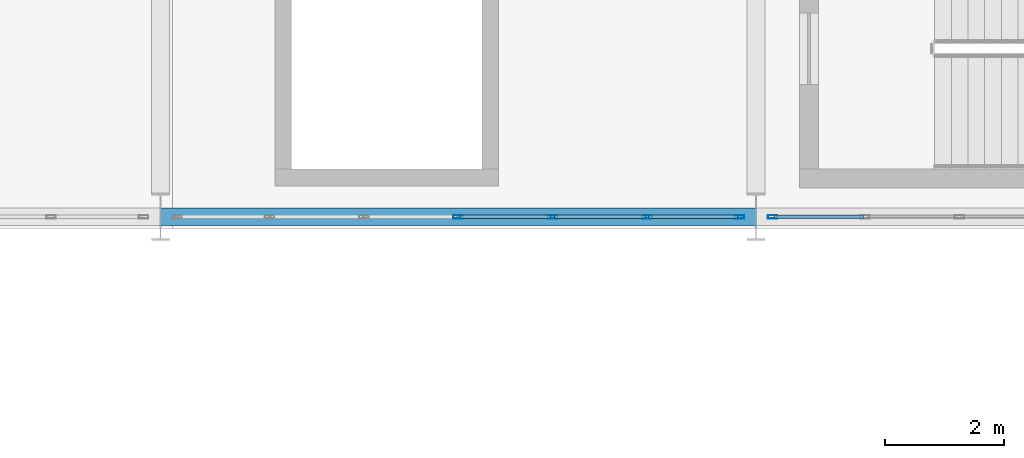
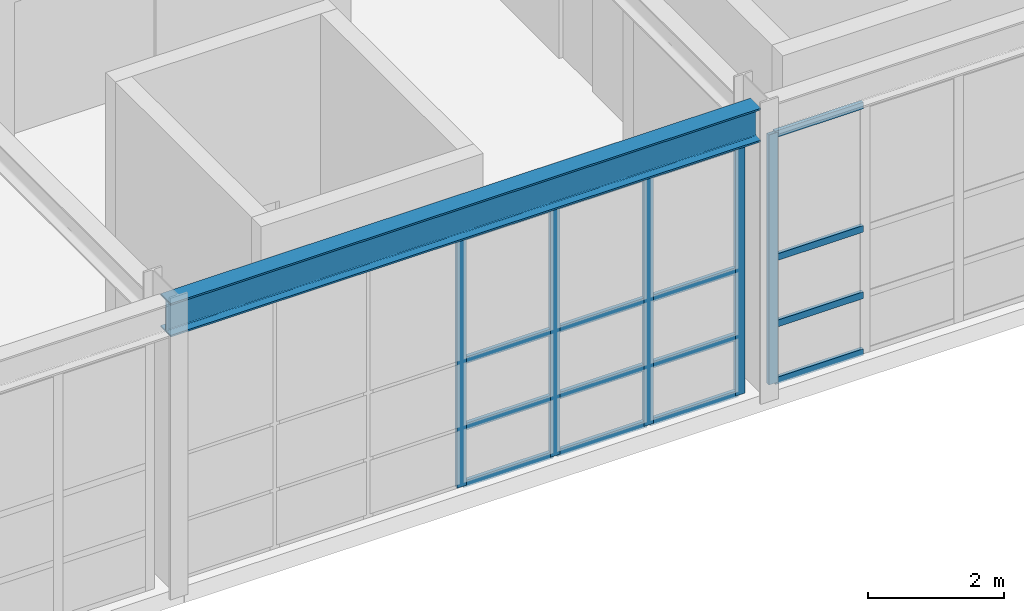
# One storey, part 113 of 210: 21 members, 1 beam, 2 elements without a shape of their own.
"""IFC4 building model written with IfcOpenShell, lengths in metres."""

from ifc_helpers import new_model, si_unit, direction, frame, origin, origin_2d, place, context, subcontext, project, spatial, hollow_rectangle, i_section, extrude, material, material_profile, profile_set, type_object, element, aggregate, save


model = new_model("IFC4")

# Units and contexts
model_context = context("Model", 3, precision=1e-05, world=origin(), true_north=direction((0.0, 1.0)))
body_context = subcontext(model_context, "Body", "Model", "MODEL_VIEW")
ifc_project = project(units=[si_unit("LENGTHUNIT", "METRE"), si_unit("AREAUNIT", "SQUARE_METRE"), si_unit("VOLUMEUNIT", "CUBIC_METRE"), si_unit("PLANEANGLEUNIT", "RADIAN"), si_unit("MASSUNIT", "GRAM", prefix="KILO")], contexts=[model_context])

# Site, building, storey
site_placement = place(None, origin())
site = spatial("IfcSite", under=ifc_project, at=site_placement, CompositionType="ELEMENT")
building_placement = place(site_placement, origin())
building = spatial("IfcBuilding", under=site, at=building_placement, Name="Kaldris Quays Convention Centre", CompositionType="ELEMENT")
storey_placement = place(building_placement, frame((0.0, 0.0, 6.0)))
storey = spatial("IfcBuildingStorey", under=building, at=storey_placement, Name="L01", CompositionType="ELEMENT", Elevation=6.0)

# Curtain wall, members
ifc_material_1 = material(Name="Anodized aluminium AW-6060 and triple glazing", Category="aluminium")
curtain_wall_type = type_object("IfcCurtainWallType", Name="UNITISED CURTAIN WALL CW01", PredefinedType="NOTDEFINED", material=ifc_material_1)
curtain_wall_1_placement = place(storey_placement, origin())
curtain_wall_1 = element("IfcCurtainWall", 1, at=curtain_wall_1_placement, inside=storey, type_object=curtain_wall_type, Name="L01 Unitised Curtain Wall CW01 24", PredefinedType="NOTDEFINED")
ifc_material_2 = material(Name="Anodized aluminium AW-6060", Category="aluminium")
ifc_material_profile_1 = material_profile(ifc_material_2, hollow_rectangle(XDim=0.06005859375, YDim=0.159912109375, WallThickness=0.00390625, at=origin_2d()), Name="RHS 160x60x4")
ifc_profile_set_1 = profile_set([ifc_material_profile_1], Name="Anodized aluminium AW-6060")
member_type_1 = type_object("IfcMemberType", Name="CURTAIN MULLION CWM1", PredefinedType="MULLION", material=ifc_profile_set_1)
member_1_placement = place(storey_placement, frame((189.0, 56.0, 0.0), z_axis=(0.0, 0.0, 1.0), x_axis=(0.0, 1.0, 0.0)))
member_1 = element("IfcMember", 2, at=member_1_placement, type_object=member_type_1, Name="CW01 mullion 4", PredefinedType="MULLION", context=body_context, shape_type="SweptSolid", body=[
    extrude(hollow_rectangle(XDim=0.06005859375, YDim=0.159912109375, WallThickness=0.00390625, at=origin_2d()), origin(), (0.0, 0.0, 1.0), 4.47802734375),
])
member_2_placement = place(storey_placement, frame((190.583251953125, 56.0, 0.0), z_axis=(0.0, 0.0, 1.0), x_axis=(0.0, 1.0, 0.0)))
member_2 = element("IfcMember", 3, at=member_2_placement, type_object=member_type_1, Name="CW01 mullion 5", PredefinedType="MULLION", context=body_context, shape_type="SweptSolid", body=[
    extrude(hollow_rectangle(XDim=0.06005859375, YDim=0.159912109375, WallThickness=0.00390625, at=origin_2d()), origin(), (0.0, 0.0, 1.0), 4.47802734375),
])
member_3_placement = place(storey_placement, frame((192.166748046875, 56.0, 0.0), z_axis=(0.0, 0.0, 1.0), x_axis=(0.0, 1.0, 0.0)))
member_3 = element("IfcMember", 4, at=member_3_placement, type_object=member_type_1, Name="CW01 mullion 6", PredefinedType="MULLION", context=body_context, shape_type="SweptSolid", body=[
    extrude(hollow_rectangle(XDim=0.06005859375, YDim=0.159912109375, WallThickness=0.00390625, at=origin_2d()), origin(), (0.0, 0.0, 1.0), 4.47802734375),
])
member_4_placement = place(storey_placement, frame((193.719970703125, 56.0, 0.0), z_axis=(0.0, 0.0, 1.0), x_axis=(0.0, 1.0, 0.0)))
member_4 = element("IfcMember", 5, at=member_4_placement, type_object=member_type_1, Name="CW01 mullion 7", PredefinedType="MULLION", context=body_context, shape_type="SweptSolid", body=[
    extrude(hollow_rectangle(XDim=0.06005859375, YDim=0.159912109375, WallThickness=0.00390625, at=origin_2d()), origin(), (0.0, 0.0, 1.0), 4.47802734375),
])

# Curtain wall, member
curtain_wall_2_placement = place(storey_placement, origin())
curtain_wall_2 = element("IfcCurtainWall", 6, at=curtain_wall_2_placement, inside=storey, type_object=curtain_wall_type, Name="L01 Unitised Curtain Wall CW01 25", PredefinedType="NOTDEFINED")
member_5_placement = place(storey_placement, frame((194.280029296875, 56.0, 0.0), z_axis=(0.0, 0.0, 1.0), x_axis=(0.0, 1.0, 0.0)))
member_5 = element("IfcMember", 7, at=member_5_placement, type_object=member_type_1, Name="CW01 mullion 1", PredefinedType="MULLION", context=body_context, shape_type="SweptSolid", body=[
    extrude(hollow_rectangle(XDim=0.06005859375, YDim=0.159912109375, WallThickness=0.00390625, at=origin_2d()), origin(), (0.0, 0.0, 1.0), 4.47802734375),
])

# Member
ifc_material_profile_2 = material_profile(ifc_material_2, hollow_rectangle(XDim=0.06005859375, YDim=0.1201171875, WallThickness=0.00390625, at=origin_2d()), Name="RHS 120x60x4")
ifc_profile_set_2 = profile_set([ifc_material_profile_2], Name="Anodized aluminium AW-6060")
member_type_2 = type_object("IfcMemberType", Name="CURTAIN TRANSOM CWT1", PredefinedType="USERDEFINED", material=ifc_profile_set_2)
member_6_placement = place(storey_placement, frame((189.030029296875, 56.0, 0.030029296875), z_axis=(1.0, 0.0, 0.0), x_axis=(0.0, 1.0, 0.0)))
member_6 = element("IfcMember", 8, at=member_6_placement, type_object=member_type_2, Name="CW01 transom 4.1", ObjectType="TRANSOM", PredefinedType="USERDEFINED", context=body_context, shape_type="SweptSolid", body=[
    extrude(hollow_rectangle(XDim=0.06005859375, YDim=0.1201171875, WallThickness=0.00390625, at=origin_2d()), origin(), (0.0, 0.0, 1.0), 1.523193359375),
])

member_7_placement = place(storey_placement, frame((189.030029296875, 56.0, 1.050048828125), z_axis=(1.0, 0.0, 0.0), x_axis=(0.0, 1.0, 0.0)))
member_7 = element("IfcMember", 9, at=member_7_placement, type_object=member_type_2, Name="CW01 transom 4.2", ObjectType="TRANSOM", PredefinedType="USERDEFINED", context=body_context, shape_type="SweptSolid", body=[
    extrude(hollow_rectangle(XDim=0.06005859375, YDim=0.1201171875, WallThickness=0.00390625, at=origin_2d()), origin(), (0.0, 0.0, 1.0), 1.523193359375),
])

member_8_placement = place(storey_placement, frame((189.030029296875, 56.0, 2.239013671875), z_axis=(1.0, 0.0, 0.0), x_axis=(0.0, 1.0, 0.0)))
member_8 = element("IfcMember", 10, at=member_8_placement, type_object=member_type_2, Name="CW01 transom 4.3", ObjectType="TRANSOM", PredefinedType="USERDEFINED", context=body_context, shape_type="SweptSolid", body=[
    extrude(hollow_rectangle(XDim=0.06005859375, YDim=0.1201171875, WallThickness=0.00390625, at=origin_2d()), origin(), (0.0, 0.0, 1.0), 1.523193359375),
])

member_9_placement = place(storey_placement, frame((189.030029296875, 56.0, 4.447998046875), z_axis=(1.0, 0.0, 0.0), x_axis=(0.0, 1.0, 0.0)))
member_9 = element("IfcMember", 11, at=member_9_placement, type_object=member_type_2, Name="CW01 transom 4.4", ObjectType="TRANSOM", PredefinedType="USERDEFINED", context=body_context, shape_type="SweptSolid", body=[
    extrude(hollow_rectangle(XDim=0.06005859375, YDim=0.1201171875, WallThickness=0.00390625, at=origin_2d()), origin(), (0.0, 0.0, 1.0), 1.523193359375),
])

member_10_placement = place(storey_placement, frame((190.61328125, 56.0, 0.030029296875), z_axis=(1.0, 0.0, 0.0), x_axis=(0.0, 1.0, 0.0)))
member_10 = element("IfcMember", 12, at=member_10_placement, type_object=member_type_2, Name="CW01 transom 5.1", ObjectType="TRANSOM", PredefinedType="USERDEFINED", context=body_context, shape_type="SweptSolid", body=[
    extrude(hollow_rectangle(XDim=0.06005859375, YDim=0.1201171875, WallThickness=0.00390625, at=origin_2d()), origin(), (0.0, 0.0, 1.0), 1.5234375),
])

member_11_placement = place(storey_placement, frame((190.61328125, 56.0, 1.050048828125), z_axis=(1.0, 0.0, 0.0), x_axis=(0.0, 1.0, 0.0)))
member_11 = element("IfcMember", 13, at=member_11_placement, type_object=member_type_2, Name="CW01 transom 5.2", ObjectType="TRANSOM", PredefinedType="USERDEFINED", context=body_context, shape_type="SweptSolid", body=[
    extrude(hollow_rectangle(XDim=0.06005859375, YDim=0.1201171875, WallThickness=0.00390625, at=origin_2d()), origin(), (0.0, 0.0, 1.0), 1.5234375),
])

member_12_placement = place(storey_placement, frame((190.61328125, 56.0, 2.239013671875), z_axis=(1.0, 0.0, 0.0), x_axis=(0.0, 1.0, 0.0)))
member_12 = element("IfcMember", 14, at=member_12_placement, type_object=member_type_2, Name="CW01 transom 5.3", ObjectType="TRANSOM", PredefinedType="USERDEFINED", context=body_context, shape_type="SweptSolid", body=[
    extrude(hollow_rectangle(XDim=0.06005859375, YDim=0.1201171875, WallThickness=0.00390625, at=origin_2d()), origin(), (0.0, 0.0, 1.0), 1.5234375),
])

member_13_placement = place(storey_placement, frame((190.61328125, 56.0, 4.447998046875), z_axis=(1.0, 0.0, 0.0), x_axis=(0.0, 1.0, 0.0)))
member_13 = element("IfcMember", 15, at=member_13_placement, type_object=member_type_2, Name="CW01 transom 5.4", ObjectType="TRANSOM", PredefinedType="USERDEFINED", context=body_context, shape_type="SweptSolid", body=[
    extrude(hollow_rectangle(XDim=0.06005859375, YDim=0.1201171875, WallThickness=0.00390625, at=origin_2d()), origin(), (0.0, 0.0, 1.0), 1.5234375),
])

member_14_placement = place(storey_placement, frame((192.19677734375, 56.0, 0.030029296875), z_axis=(1.0, 0.0, 0.0), x_axis=(0.0, 1.0, 0.0)))
member_14 = element("IfcMember", 16, at=member_14_placement, type_object=member_type_2, Name="CW01 transom 6.1", ObjectType="TRANSOM", PredefinedType="USERDEFINED", context=body_context, shape_type="SweptSolid", body=[
    extrude(hollow_rectangle(XDim=0.06005859375, YDim=0.1201171875, WallThickness=0.00390625, at=origin_2d()), origin(), (0.0, 0.0, 1.0), 1.4931640625),
])

member_15_placement = place(storey_placement, frame((192.19677734375, 56.0, 1.050048828125), z_axis=(1.0, 0.0, 0.0), x_axis=(0.0, 1.0, 0.0)))
member_15 = element("IfcMember", 17, at=member_15_placement, type_object=member_type_2, Name="CW01 transom 6.2", ObjectType="TRANSOM", PredefinedType="USERDEFINED", context=body_context, shape_type="SweptSolid", body=[
    extrude(hollow_rectangle(XDim=0.06005859375, YDim=0.1201171875, WallThickness=0.00390625, at=origin_2d()), origin(), (0.0, 0.0, 1.0), 1.4931640625),
])

member_16_placement = place(storey_placement, frame((192.19677734375, 56.0, 2.239013671875), z_axis=(1.0, 0.0, 0.0), x_axis=(0.0, 1.0, 0.0)))
member_16 = element("IfcMember", 18, at=member_16_placement, type_object=member_type_2, Name="CW01 transom 6.3", ObjectType="TRANSOM", PredefinedType="USERDEFINED", context=body_context, shape_type="SweptSolid", body=[
    extrude(hollow_rectangle(XDim=0.06005859375, YDim=0.1201171875, WallThickness=0.00390625, at=origin_2d()), origin(), (0.0, 0.0, 1.0), 1.4931640625),
])

member_17_placement = place(storey_placement, frame((192.19677734375, 56.0, 4.447998046875), z_axis=(1.0, 0.0, 0.0), x_axis=(0.0, 1.0, 0.0)))
member_17 = element("IfcMember", 19, at=member_17_placement, type_object=member_type_2, Name="CW01 transom 6.4", ObjectType="TRANSOM", PredefinedType="USERDEFINED", context=body_context, shape_type="SweptSolid", body=[
    extrude(hollow_rectangle(XDim=0.06005859375, YDim=0.1201171875, WallThickness=0.00390625, at=origin_2d()), origin(), (0.0, 0.0, 1.0), 1.4931640625),
])

aggregate(curtain_wall_1, [member_1, member_2, member_3, member_4, member_6, member_7, member_8, member_9, member_10, member_11, member_12, member_13, member_14, member_15, member_16, member_17])

member_18_placement = place(storey_placement, frame((194.31005859375, 56.0, 0.030029296875), z_axis=(1.0, 0.0, 0.0), x_axis=(0.0, 1.0, 0.0)))
member_18 = element("IfcMember", 20, at=member_18_placement, type_object=member_type_2, Name="CW01 transom 1.1", ObjectType="TRANSOM", PredefinedType="USERDEFINED", context=body_context, shape_type="SweptSolid", body=[
    extrude(hollow_rectangle(XDim=0.06005859375, YDim=0.1201171875, WallThickness=0.00390625, at=origin_2d()), origin(), (0.0, 0.0, 1.0), 1.4931640625),
])

member_19_placement = place(storey_placement, frame((194.31005859375, 56.0, 1.050048828125), z_axis=(1.0, 0.0, 0.0), x_axis=(0.0, 1.0, 0.0)))
member_19 = element("IfcMember", 21, at=member_19_placement, type_object=member_type_2, Name="CW01 transom 1.2", ObjectType="TRANSOM", PredefinedType="USERDEFINED", context=body_context, shape_type="SweptSolid", body=[
    extrude(hollow_rectangle(XDim=0.06005859375, YDim=0.1201171875, WallThickness=0.00390625, at=origin_2d()), origin(), (0.0, 0.0, 1.0), 1.4931640625),
])

member_20_placement = place(storey_placement, frame((194.31005859375, 56.0, 2.239013671875), z_axis=(1.0, 0.0, 0.0), x_axis=(0.0, 1.0, 0.0)))
member_20 = element("IfcMember", 22, at=member_20_placement, type_object=member_type_2, Name="CW01 transom 1.3", ObjectType="TRANSOM", PredefinedType="USERDEFINED", context=body_context, shape_type="SweptSolid", body=[
    extrude(hollow_rectangle(XDim=0.06005859375, YDim=0.1201171875, WallThickness=0.00390625, at=origin_2d()), origin(), (0.0, 0.0, 1.0), 1.4931640625),
])

member_21_placement = place(storey_placement, frame((194.31005859375, 56.0, 4.447998046875), z_axis=(1.0, 0.0, 0.0), x_axis=(0.0, 1.0, 0.0)))
member_21 = element("IfcMember", 23, at=member_21_placement, type_object=member_type_2, Name="CW01 transom 1.4", ObjectType="TRANSOM", PredefinedType="USERDEFINED", context=body_context, shape_type="SweptSolid", body=[
    extrude(hollow_rectangle(XDim=0.06005859375, YDim=0.1201171875, WallThickness=0.00390625, at=origin_2d()), origin(), (0.0, 0.0, 1.0), 1.4931640625),
])

aggregate(curtain_wall_2, [member_5, member_18, member_19, member_20, member_21])

# Beam
ifc_material_3 = material(Name="Steel S355J2", Category="steel")
ifc_material_profile_3 = material_profile(ifc_material_3, i_section(OverallWidth=0.300048828125, OverallDepth=0.60009765625, WebThickness=0.015380859375, FlangeThickness=0.030029296875, FilletRadius=0.027099609375, at=origin_2d()), Name="HEB 600")
ifc_profile_set_3 = profile_set([ifc_material_profile_3], Name="Steel S355J2")
beam_type = type_object("IfcBeamType", Name="STRUCTURAL BEAM BM05", PredefinedType="BEAM", material=ifc_profile_set_3)
beam_placement = place(storey_placement, frame((184.002685546875, 56.0, 4.802978515625), z_axis=(1.0, 0.0, 0.0), x_axis=(0.0, 1.0, 0.0)))
element("IfcBeam", 24, at=beam_placement, inside=storey, type_object=beam_type, Name="L01 Girder BM05 3", PredefinedType="BEAM", context=body_context, shape_type="SweptSolid", body=[
    extrude(i_section(OverallWidth=0.300048828125, OverallDepth=0.60009765625, WebThickness=0.015380859375, FlangeThickness=0.030029296875, FilletRadius=0.027099609375, at=origin_2d()), origin(), (0.0, 0.0, 1.0), 9.99462890625),
])

save(model, "model.ifc")
